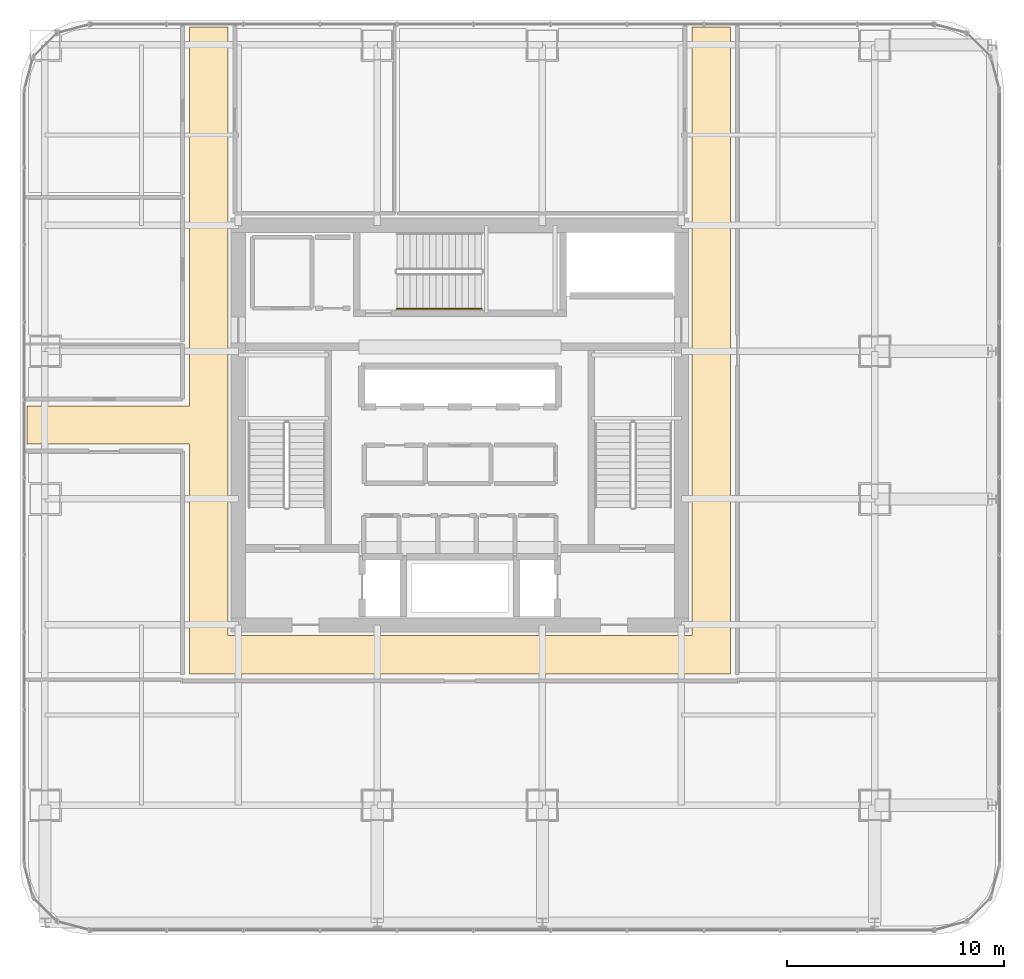
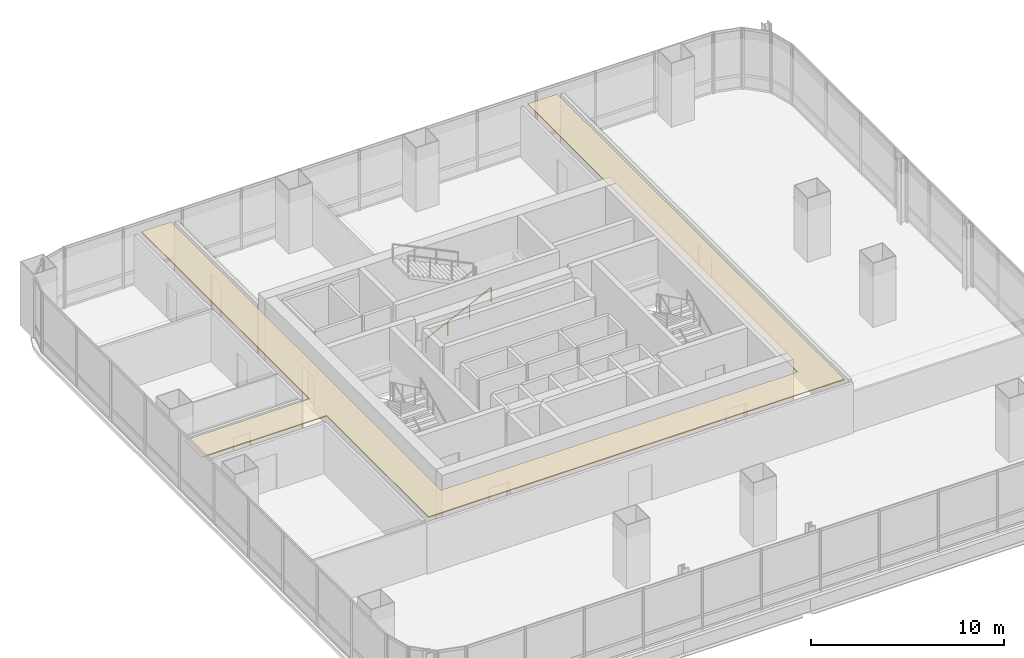
# One storey, part 34 of 36: 1 covering, 1 railing.
"""IFC4 building model written with IfcOpenShell, lengths in metres."""

from ifc_helpers import new_model, si_unit, direction, frame, origin, origin_2d, place, context, subcontext, project, spatial, polyline, circle, outline, extrude, material, layer, layer_set, type_object, element, save


model = new_model("IFC4")

# Units and contexts
model_context = context("Model", 3, precision=1e-05, world=origin(), true_north=direction((0.0, 1.0)))
body_context = subcontext(model_context, "Body", "Model", "MODEL_VIEW")
ifc_project = project(units=[si_unit("LENGTHUNIT", "METRE"), si_unit("AREAUNIT", "SQUARE_METRE"), si_unit("VOLUMEUNIT", "CUBIC_METRE"), si_unit("PLANEANGLEUNIT", "RADIAN"), si_unit("MASSUNIT", "GRAM", prefix="KILO")], contexts=[model_context])

# Site, building, storey
site_placement = place(None, origin())
site = spatial("IfcSite", under=ifc_project, at=site_placement, CompositionType="ELEMENT")
building_placement = place(site_placement, origin())
building = spatial("IfcBuilding", under=site, at=building_placement, Name="Punatoya Terracotta Tower", CompositionType="ELEMENT")
storey_placement = place(building_placement, frame((0.0, 0.0, 212.699951171875)))
storey = spatial("IfcBuildingStorey", under=building, at=storey_placement, Name="L50", CompositionType="ELEMENT", Elevation=212.699951171875)

# Covering
ifc_material_1 = material(Name="Acoustic Mineral Fibre Ceiling")
ifc_layer = layer(ifc_material_1, 0.06005859375)
ifc_layer_set = layer_set([ifc_layer], Name="Acoustic Mineral Fibre Ceiling")
covering_type = type_object("IfcCoveringType", Name="COV-CEIL-60", PredefinedType="CEILING", material=ifc_layer_set)
covering_placement = place(storey_placement, frame((0.0, 0.0, 3.219970703125)))
element("IfcCovering", 1, at=covering_placement, inside=storey, type_object=covering_type, Name="L50 Central Spine Circulation Corridor Acoustic Ceiling", PredefinedType="CEILING", context=body_context, shape_type="SweptSolid", body=[
    extrude(outline(polyline([(10.679931640625, 18.330078125), (10.679931640625, -9.679931640625), (-10.679931640625, -9.679931640625), (-10.679931640625, 18.330078125), (-12.449951171875, 18.330078125), (-12.449951171875, 0.8798828125), (-19.929931640625, 0.8798828125), (-19.929931640625, -0.8798828125), (-12.449951171875, -0.8798828125), (-12.449951171875, -11.449951171875), (12.449951171875, -11.449951171875), (12.449951171875, 18.330078125), (10.679931640625, 18.330078125)])), origin(), (0.0, 0.0, 1.0), 0.06005859375),
])

# Railing
ifc_material_2 = material(Name="Steel S355", Category="steel")
railing_type = type_object("IfcRailingType", Name="RLG-HND-900", PredefinedType="HANDRAIL", material=ifc_material_2)
railing_placement = place(storey_placement, frame((-2.89990234375, 5.35009765625, 0.144775390625)))
element("IfcRailing", 2, at=railing_placement, inside=storey, type_object=railing_type, Name="L50 ST-3 stair handrail 1", PredefinedType="HANDRAIL", context=body_context, shape_type="SweptSolid", body=[
    extrude(circle(Radius=0.02392578125, at=origin_2d()), frame((0.0, 0.0, 0.8759765625), z_axis=(0.900763166376, 0.0, 0.434310623978), x_axis=(0.0, 1.0, 0.0)), (0.0, 0.0, 1.0), 4.32958984375),
    extrude(circle(Radius=0.02099609375, at=origin_2d()), origin(), (0.0, 0.0, 1.0), 0.851806640625),
    extrude(circle(Radius=0.02099609375, at=origin_2d()), frame((1.300048828125, 0.0, 0.626708984375)), (0.0, 0.0, 1.0), 0.851806640625),
    extrude(circle(Radius=0.02099609375, at=origin_2d()), frame((2.599853515625, 0.0, 1.253662109375)), (0.0, 0.0, 1.0), 0.851806640625),
    extrude(circle(Radius=0.02099609375, at=origin_2d()), frame((3.89990234375, 0.0, 1.88037109375)), (0.0, 0.0, 1.0), 0.851806640625),
])

save(model, "model.ifc")
